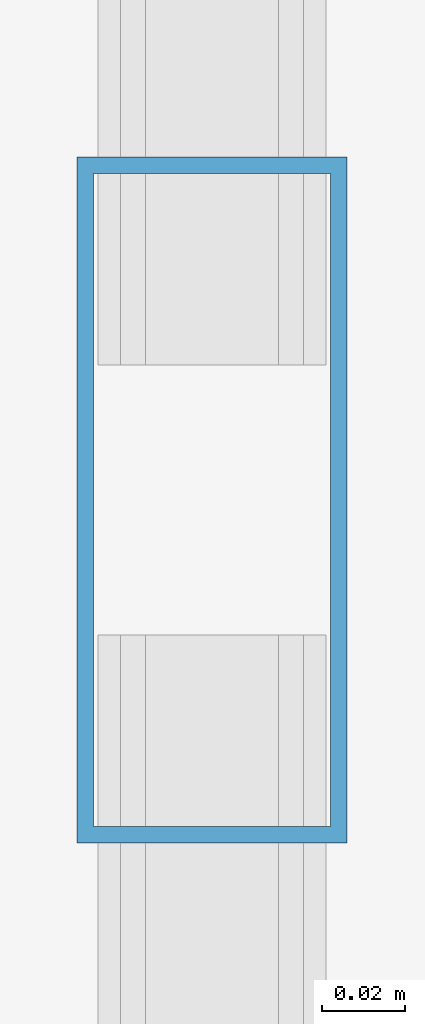
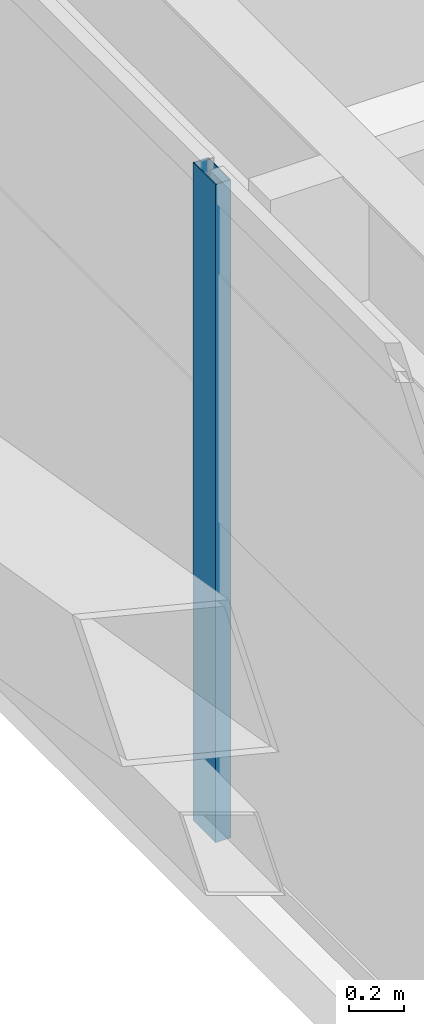
# One storey, part 8 of 59: 1 member, 1 element without a shape of its own.
"""IFC4 building model written with IfcOpenShell, lengths in metres."""

from ifc_helpers import new_model, si_unit, direction, frame, origin, origin_2d, place, context, subcontext, project, spatial, hollow_rectangle, extrude, source, transform, mapped, material, layer, layer_set, material_profile, profile_set, type_object, element, aggregate, save


model = new_model("IFC4")

# Units and contexts
model_context = context("Model", 3, precision=1e-05, world=origin(), true_north=direction((0.0, 1.0)))
body_context = subcontext(model_context, "Body", "Model", "MODEL_VIEW")
ifc_project = project(units=[si_unit("LENGTHUNIT", "METRE"), si_unit("AREAUNIT", "SQUARE_METRE"), si_unit("VOLUMEUNIT", "CUBIC_METRE"), si_unit("PLANEANGLEUNIT", "RADIAN"), si_unit("MASSUNIT", "GRAM", prefix="KILO")], contexts=[model_context])

# Site, building, storey
site_placement = place(None, origin())
site = spatial("IfcSite", under=ifc_project, at=site_placement, CompositionType="ELEMENT")
building_placement = place(site_placement, origin())
building = spatial("IfcBuilding", under=site, at=building_placement, Name="Taldren Reach Tower", CompositionType="ELEMENT")
storey_placement = place(building_placement, frame((0.0, 0.0, 19.949951171875)))
storey = spatial("IfcBuildingStorey", under=building, at=storey_placement, Name="L05", CompositionType="ELEMENT", Elevation=19.949951171875)

# Curtain wall, member
ifc_material_1 = material(Name="Aluminium and Low-E Glass Unitised System", Category="aluminium")
ifc_layer = layer(ifc_material_1, 0.159912109375)
ifc_layer_set = layer_set([ifc_layer], Name="Aluminium and Low-E Glass Unitised System")
curtain_wall_type = type_object("IfcCurtainWallType", Name="CW-SYS-2", PredefinedType="NOTDEFINED", material=ifc_layer_set)
curtain_wall_placement = place(storey_placement, origin())
curtain_wall = element("IfcCurtainWall", 1, at=curtain_wall_placement, inside=storey, type_object=curtain_wall_type, Name="Unitised curtain wall CW-L05-W", PredefinedType="NOTDEFINED")
ifc_material_2 = material(Name="Anodised Aluminium 6063-T6", Category="aluminium")
ifc_material_profile = material_profile(ifc_material_2, hollow_rectangle(XDim=0.06494140625, YDim=0.1650390625, WallThickness=0.00390625, at=origin_2d()), Name="ALU-165x65x4RHS")
ifc_profile_set = profile_set([ifc_material_profile], Name="Anodised Aluminium 6063-T6")
member_type = type_object("IfcMemberType", Name="CW-MUL-165", PredefinedType="MULLION", material=ifc_profile_set)
shared_shape = source(origin(), body_context, "Body", "SweptSolid", [
    extrude(hollow_rectangle(XDim=0.06494140625, YDim=0.1650390625, WallThickness=0.00390625, at=origin_2d()), origin(), (0.0, 0.0, 1.0), 2.929931640625),
])
member_placement = place(storey_placement, frame((5.139892578125, 11.388916015625, 0.0), z_axis=(0.0, 0.0, 1.0), x_axis=(1.0, 0.0, 0.0)))
member = element("IfcMember", 2, at=member_placement, type_object=member_type, Name="CW-2 mullion 8", PredefinedType="MULLION", context=body_context, shape_type="MappedRepresentation", body=[
    mapped(shared_shape, transform((0.0, 0.0, 0.0), scale=1.0)),
])
aggregate(curtain_wall, [member])

save(model, "model.ifc")
